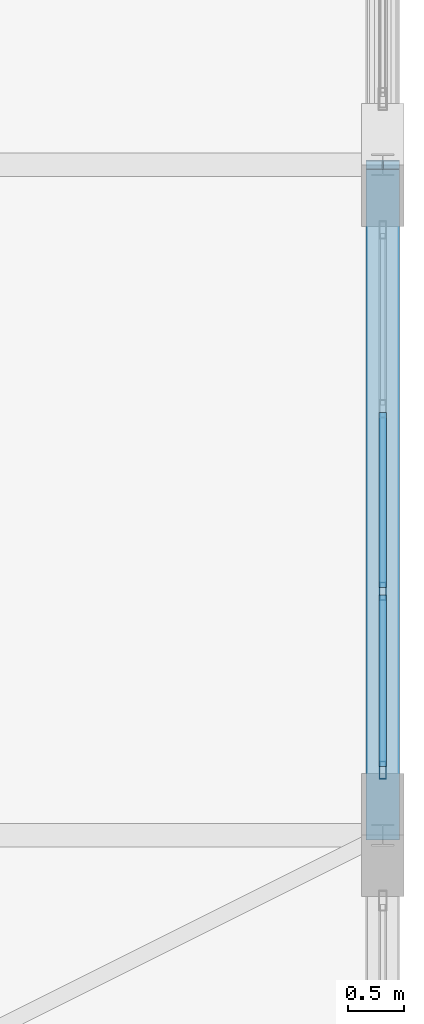
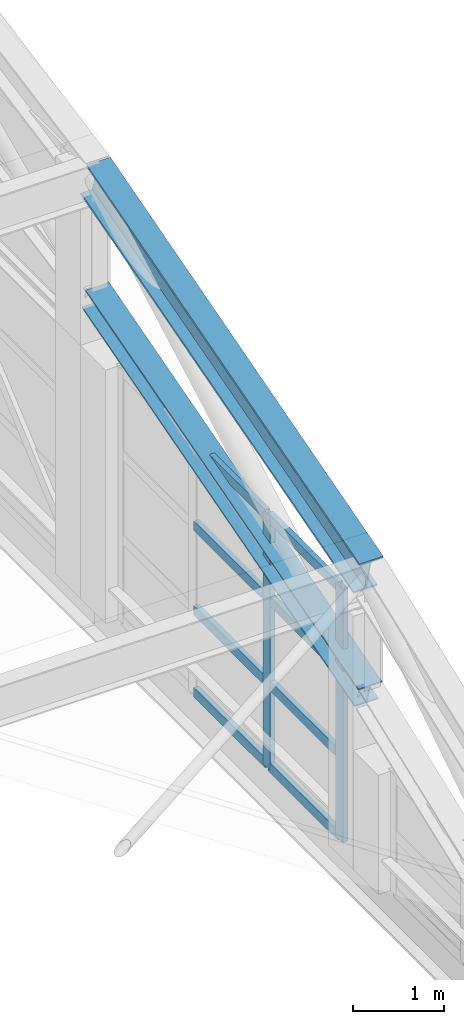
# One storey, part 131 of 204: 12 members, 1 element without a shape of its own.
"""IFC4 building model written with IfcOpenShell, lengths in metres."""

from ifc_helpers import new_model, si_unit, direction, frame, origin, origin_2d, place, context, subcontext, project, spatial, hollow_rectangle, i_section, extrude, material, layer, layer_set, material_profile, profile_set, type_object, element, aggregate, save


model = new_model("IFC4")

# Units and contexts
model_context = context("Model", 3, precision=1e-05, world=origin(), true_north=direction((0.0, 1.0)))
body_context = subcontext(model_context, "Body", "Model", "MODEL_VIEW")
ifc_project = project(units=[si_unit("LENGTHUNIT", "METRE"), si_unit("AREAUNIT", "SQUARE_METRE"), si_unit("VOLUMEUNIT", "CUBIC_METRE"), si_unit("PLANEANGLEUNIT", "RADIAN"), si_unit("MASSUNIT", "GRAM", prefix="KILO")], contexts=[model_context])

# Site, building, storey
site_placement = place(None, origin())
site = spatial("IfcSite", under=ifc_project, at=site_placement, CompositionType="ELEMENT")
building_placement = place(site_placement, origin())
building = spatial("IfcBuilding", under=site, at=building_placement, Name="Zilviju Railside Exhibition Hall", CompositionType="ELEMENT")
storey_placement = place(building_placement, frame((0.0, 0.0, 21.0)))
storey = spatial("IfcBuildingStorey", under=building, at=storey_placement, Name="RF", CompositionType="ELEMENT", Elevation=21.0)

# Curtain wall, members
ifc_material_1 = material(Name="Thermally broken aluminium-steel triple-glazed curtain wall", Category="steel")
ifc_layer = layer(ifc_material_1, 0.179931640625)
ifc_layer_set = layer_set([ifc_layer], Name="Thermally broken aluminium-steel triple-glazed curtain wall")
curtain_wall_type = type_object("IfcCurtainWallType", Name="CW-BAY-14", PredefinedType="USERDEFINED", material=ifc_layer_set)
curtain_wall_placement = place(storey_placement, origin())
curtain_wall = element("IfcCurtainWall", 1, at=curtain_wall_placement, inside=storey, type_object=curtain_wall_type, Name="North Hall Arch Lower Tympanum Glazing East P2", ObjectType="GLAZED CURTAIN WALL", PredefinedType="USERDEFINED")
ifc_material_2 = material(Name="Thermally broken anodized aluminium mullion", Category="aluminium")
ifc_material_profile_1 = material_profile(ifc_material_2, hollow_rectangle(XDim=0.06494140625, YDim=0.159912109375, WallThickness=0.0048828125, at=origin_2d()), Name="MULLION 160x65x5")
ifc_profile_set_1 = profile_set([ifc_material_profile_1], Name="Thermally broken anodized aluminium mullion")
member_type_1 = type_object("IfcMemberType", Name="CWM-65x160", PredefinedType="MULLION", material=ifc_profile_set_1)
member_1_placement = place(storey_placement, frame((216.0, 92.183349609375, -3.60009765625), z_axis=(0.0, 0.0, 1.0), x_axis=(1.0, 0.0, 0.0)))
member_1 = element("IfcMember", 2, at=member_1_placement, type_object=member_type_1, Name="CW-14 mullion 3", PredefinedType="MULLION", context=body_context, shape_type="SweptSolid", body=[
    extrude(hollow_rectangle(XDim=0.06494140625, YDim=0.159912109375, WallThickness=0.0048828125, at=origin_2d()), origin(), (0.0, 0.0, 1.0), 3.400146484375),
])
member_2_placement = place(storey_placement, frame((216.0, 90.58251953125, -3.60009765625), z_axis=(0.0, 0.0, 1.0), x_axis=(1.0, 0.0, 0.0)))
member_2 = element("IfcMember", 3, at=member_2_placement, type_object=member_type_1, Name="CW-14 mullion 4", PredefinedType="MULLION", context=body_context, shape_type="SweptSolid", body=[
    extrude(hollow_rectangle(XDim=0.06494140625, YDim=0.159912109375, WallThickness=0.0048828125, at=origin_2d()), origin(), (0.0, 0.0, 1.0), 3.400146484375),
])
ifc_material_3 = material(Name="Thermally broken anodized aluminium transom", Category="aluminium")
ifc_material_profile_2 = material_profile(ifc_material_3, hollow_rectangle(XDim=0.06494140625, YDim=0.1298828125, WallThickness=0.0048828125, at=origin_2d()), Name="TRANSOM 130x65x5")
ifc_profile_set_2 = profile_set([ifc_material_profile_2], Name="Thermally broken anodized aluminium transom")
member_type_2 = type_object("IfcMemberType", Name="CWT-65x130", PredefinedType="USERDEFINED", material=ifc_profile_set_2)
member_3_placement = place(storey_placement, frame((216.0, 93.7841796875, -3.5673828125), z_axis=(0.0, -1.0, 0.0), x_axis=(1.0, 0.0, 0.0)))
member_3 = element("IfcMember", 4, at=member_3_placement, type_object=member_type_2, Name="CW-14 transom 2.1", ObjectType="TRANSOM", PredefinedType="USERDEFINED", context=body_context, shape_type="SweptSolid", body=[
    extrude(hollow_rectangle(XDim=0.06494140625, YDim=0.1298828125, WallThickness=0.0048828125, at=origin_2d()), origin(), (0.0, 0.0, 1.0), 1.568359375),
])
member_4_placement = place(storey_placement, frame((216.0, 93.7841796875, -2.467041015625), z_axis=(0.0, -1.0, 0.0), x_axis=(1.0, 0.0, 0.0)))
member_4 = element("IfcMember", 5, at=member_4_placement, type_object=member_type_2, Name="CW-14 transom 2.2", ObjectType="TRANSOM", PredefinedType="USERDEFINED", context=body_context, shape_type="SweptSolid", body=[
    extrude(hollow_rectangle(XDim=0.06494140625, YDim=0.1298828125, WallThickness=0.0048828125, at=origin_2d()), origin(), (0.0, 0.0, 1.0), 1.568359375),
])
member_5_placement = place(storey_placement, frame((216.0, 93.7841796875, -1.3330078125), z_axis=(0.0, -1.0, 0.0), x_axis=(1.0, 0.0, 0.0)))
member_5 = element("IfcMember", 6, at=member_5_placement, type_object=member_type_2, Name="CW-14 transom 2.3", ObjectType="TRANSOM", PredefinedType="USERDEFINED", context=body_context, shape_type="SweptSolid", body=[
    extrude(hollow_rectangle(XDim=0.06494140625, YDim=0.1298828125, WallThickness=0.0048828125, at=origin_2d()), origin(), (0.0, 0.0, 1.0), 1.568359375),
])
member_6_placement = place(storey_placement, frame((216.0, 93.7841796875, -0.232421875), z_axis=(0.0, -1.0, 0.0), x_axis=(1.0, 0.0, 0.0)))
member_6 = element("IfcMember", 7, at=member_6_placement, type_object=member_type_2, Name="CW-14 transom 2.4", ObjectType="TRANSOM", PredefinedType="USERDEFINED", context=body_context, shape_type="SweptSolid", body=[
    extrude(hollow_rectangle(XDim=0.06494140625, YDim=0.1298828125, WallThickness=0.0048828125, at=origin_2d()), origin(), (0.0, 0.0, 1.0), 1.568359375),
])
member_7_placement = place(storey_placement, frame((216.0, 92.15087890625, -3.5673828125), z_axis=(0.0, -1.0, 0.0), x_axis=(1.0, 0.0, 0.0)))
member_7 = element("IfcMember", 8, at=member_7_placement, type_object=member_type_2, Name="CW-14 transom 3.1", ObjectType="TRANSOM", PredefinedType="USERDEFINED", context=body_context, shape_type="SweptSolid", body=[
    extrude(hollow_rectangle(XDim=0.06494140625, YDim=0.1298828125, WallThickness=0.0048828125, at=origin_2d()), origin(), (0.0, 0.0, 1.0), 1.535888671875),
])
member_8_placement = place(storey_placement, frame((216.0, 92.15087890625, -2.467041015625), z_axis=(0.0, -1.0, 0.0), x_axis=(1.0, 0.0, 0.0)))
member_8 = element("IfcMember", 9, at=member_8_placement, type_object=member_type_2, Name="CW-14 transom 3.2", ObjectType="TRANSOM", PredefinedType="USERDEFINED", context=body_context, shape_type="SweptSolid", body=[
    extrude(hollow_rectangle(XDim=0.06494140625, YDim=0.1298828125, WallThickness=0.0048828125, at=origin_2d()), origin(), (0.0, 0.0, 1.0), 1.535888671875),
])
member_9_placement = place(storey_placement, frame((216.0, 92.15087890625, -1.3330078125), z_axis=(0.0, -1.0, 0.0), x_axis=(1.0, 0.0, 0.0)))
member_9 = element("IfcMember", 10, at=member_9_placement, type_object=member_type_2, Name="CW-14 transom 3.3", ObjectType="TRANSOM", PredefinedType="USERDEFINED", context=body_context, shape_type="SweptSolid", body=[
    extrude(hollow_rectangle(XDim=0.06494140625, YDim=0.1298828125, WallThickness=0.0048828125, at=origin_2d()), origin(), (0.0, 0.0, 1.0), 1.535888671875),
])
member_10_placement = place(storey_placement, frame((216.0, 92.15087890625, -0.232421875), z_axis=(0.0, -1.0, 0.0), x_axis=(1.0, 0.0, 0.0)))
member_10 = element("IfcMember", 11, at=member_10_placement, type_object=member_type_2, Name="CW-14 transom 3.4", ObjectType="TRANSOM", PredefinedType="USERDEFINED", context=body_context, shape_type="SweptSolid", body=[
    extrude(hollow_rectangle(XDim=0.06494140625, YDim=0.1298828125, WallThickness=0.0048828125, at=origin_2d()), origin(), (0.0, 0.0, 1.0), 1.535888671875),
])
aggregate(curtain_wall, [member_1, member_2, member_3, member_4, member_5, member_6, member_7, member_8, member_9, member_10])

# Members
ifc_material_4 = material(Name="Steel S355ML", Category="steel")
ifc_material_profile_3 = material_profile(ifc_material_4, i_section(OverallWidth=0.300048828125, OverallDepth=0.300048828125, WebThickness=0.010986328125, FlangeThickness=0.01904296875, at=origin_2d()), Name="HEB 300")
ifc_profile_set_3 = profile_set([ifc_material_profile_3], Name="Steel S355ML")
member_type_3 = type_object("IfcMemberType", Name="TR-CH-HEB300", PredefinedType="CHORD", material=ifc_profile_set_3)
member_11_placement = place(storey_placement, frame((216.0, 90.0, -1.30859375), z_axis=(0.0, 0.961345133658, 0.275346207512), x_axis=(-1.0, 0.0, 0.0)))
element("IfcMember", 12, at=member_11_placement, inside=storey, type_object=member_type_3, Name="V2 Parabolic Arch Bottom Chord X=216.0 P2", PredefinedType="CHORD", context=body_context, shape_type="SweptSolid", body=[
    extrude(i_section(OverallWidth=0.300048828125, OverallDepth=0.300048828125, WebThickness=0.010986328125, FlangeThickness=0.01904296875, at=origin_2d()), origin(), (0.0, 0.0, 1.0), 6.2412109375),
])
ifc_material_profile_4 = material_profile(ifc_material_4, i_section(OverallWidth=0.300048828125, OverallDepth=0.5, WebThickness=0.014404296875, FlangeThickness=0.028076171875, at=origin_2d()), Name="HEB 500")
ifc_profile_set_4 = profile_set([ifc_material_profile_4], Name="Steel S355ML")
member_type_4 = type_object("IfcMemberType", Name="TR-CH-HEB500-ML", PredefinedType="CHORD", material=ifc_profile_set_4)
member_12_placement = place(storey_placement, frame((216.0, 90.0, 0.291259765625), z_axis=(0.0, 0.961345133658, 0.275346207512), x_axis=(-1.0, 0.0, 0.0)))
element("IfcMember", 13, at=member_12_placement, inside=storey, type_object=member_type_4, Name="V2 Parabolic Arch Top Chord X=216.0 P2", PredefinedType="CHORD", context=body_context, shape_type="SweptSolid", body=[
    extrude(i_section(OverallWidth=0.300048828125, OverallDepth=0.5, WebThickness=0.014404296875, FlangeThickness=0.028076171875, at=origin_2d()), origin(), (0.0, 0.0, 1.0), 6.2412109375),
])

save(model, "model.ifc")
